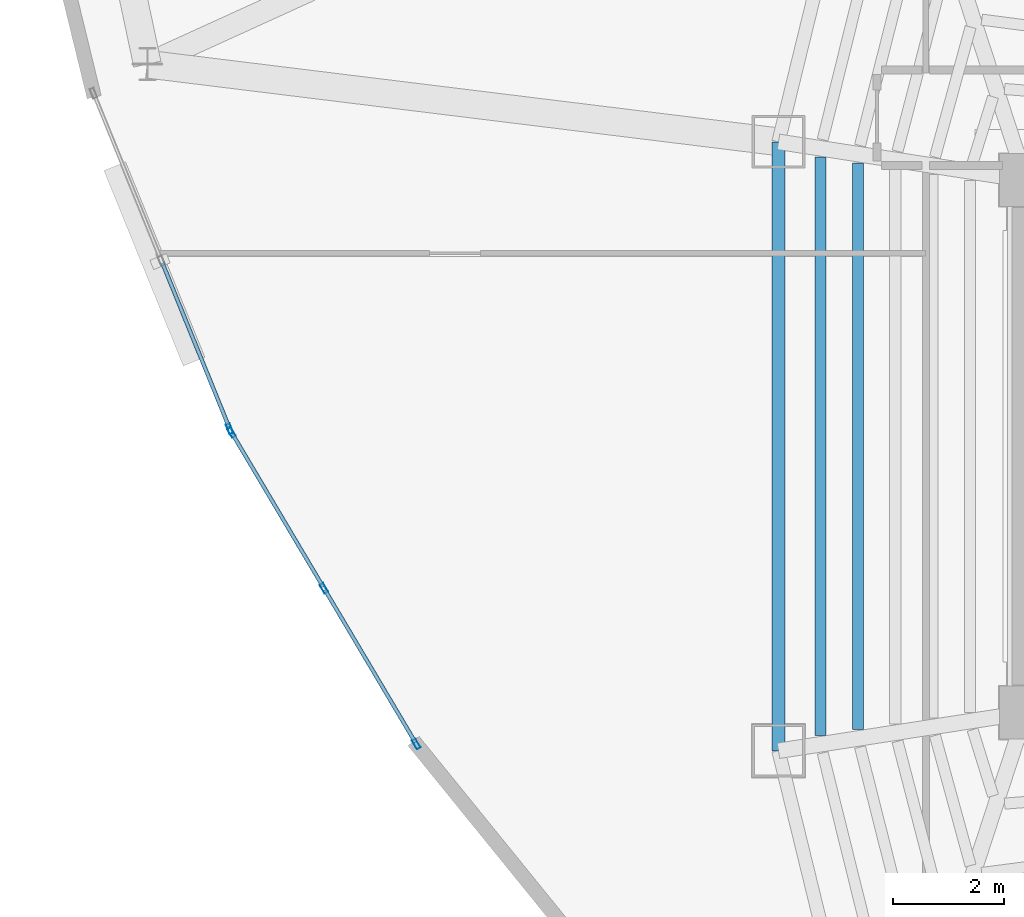
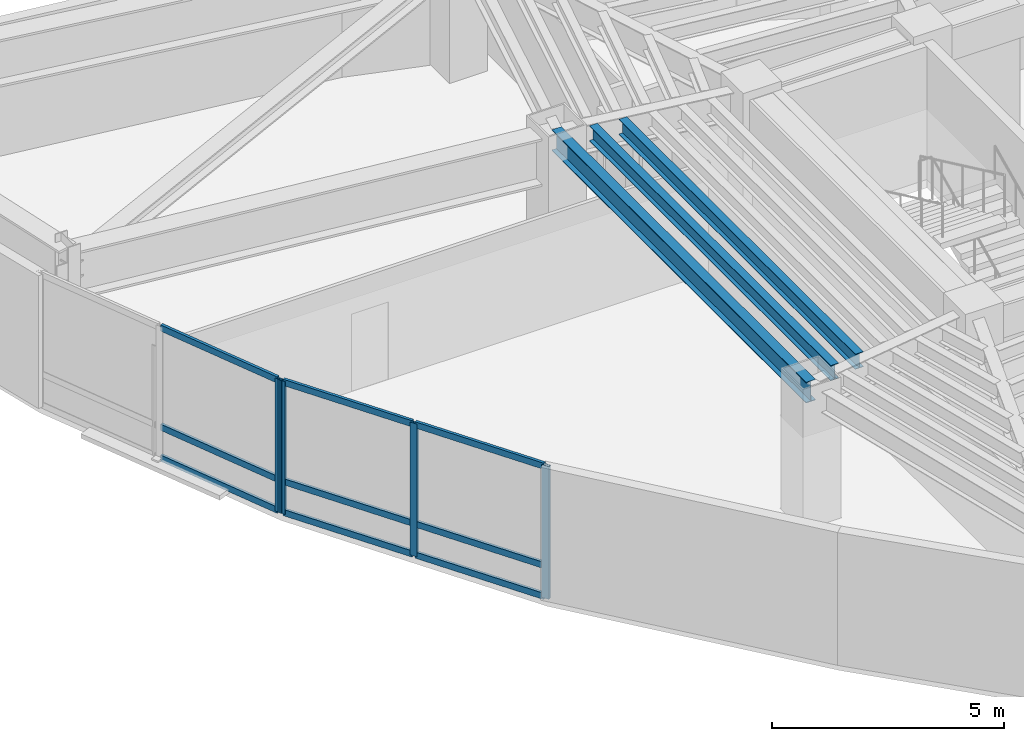
# One storey, part 2 of 16: 13 members, 3 beams, 2 elements without a shape of their own.
"""IFC4 building model written with IfcOpenShell, lengths in metres."""

from ifc_helpers import new_model, si_unit, direction, frame, origin, origin_2d, place, context, subcontext, project, spatial, hollow_rectangle, i_section, extrude, material, layer, layer_set, material_profile, profile_set, type_object, element, aggregate, save


model = new_model("IFC4")

# Units and contexts
model_context = context("Model", 3, precision=1e-05, world=origin(), true_north=direction((0.0, 1.0)))
body_context = subcontext(model_context, "Body", "Model", "MODEL_VIEW")
ifc_project = project(units=[si_unit("LENGTHUNIT", "METRE"), si_unit("AREAUNIT", "SQUARE_METRE"), si_unit("VOLUMEUNIT", "CUBIC_METRE"), si_unit("PLANEANGLEUNIT", "RADIAN"), si_unit("MASSUNIT", "GRAM", prefix="KILO")], contexts=[model_context])

# Site, building, storey
site_placement = place(None, origin())
site = spatial("IfcSite", under=ifc_project, at=site_placement, CompositionType="ELEMENT")
building_placement = place(site_placement, origin())
building = spatial("IfcBuilding", under=site, at=building_placement, Name="Menara Vayukalpa", CompositionType="ELEMENT")
storey_placement = place(building_placement, frame((0.0, 0.0, 198.9599609375)))
storey = spatial("IfcBuildingStorey", under=building, at=storey_placement, Name="L50", CompositionType="ELEMENT", Elevation=198.9599609375)

# Beams
ifc_material_1 = material(Name="Steel S355", Category="steel")
ifc_material_profile_1 = material_profile(ifc_material_1, i_section(OverallWidth=0.199951171875, OverallDepth=0.39990234375, WebThickness=0.008056640625, FlangeThickness=0.012939453125, at=origin_2d()), Name="WF 400x200x8x13")
ifc_profile_set_1 = profile_set([ifc_material_profile_1], Name="Steel S355")
beam_type_1 = type_object("IfcBeamType", Name="BM-SJ2", PredefinedType="JOIST", material=ifc_profile_set_1)
beam_1_placement = place(storey_placement, frame((14.77490234375, 27.10791015625, 3.300048828125), z_axis=(0.0, -1.0, 0.0), x_axis=(1.0, 0.0, 0.0)))
element("IfcBeam", 1, at=beam_1_placement, inside=storey, type_object=beam_type_1, Name="L50 Secondary Floor Joist SJ05-4", PredefinedType="JOIST", context=body_context, shape_type="SweptSolid", body=[
    extrude(i_section(OverallWidth=0.199951171875, OverallDepth=0.39990234375, WebThickness=0.008056640625, FlangeThickness=0.012939453125, at=origin_2d()), origin(), (0.0, 0.0, 1.0), 10.2158203125),
])
beam_2_placement = place(storey_placement, frame((14.1015625, 27.2119140625, 3.300048828125), z_axis=(0.0, -1.0, 0.0), x_axis=(1.0, 0.0, 0.0)))
element("IfcBeam", 2, at=beam_2_placement, inside=storey, type_object=beam_type_1, Name="L50 Secondary Floor Joist SJ05-5", PredefinedType="JOIST", context=body_context, shape_type="SweptSolid", body=[
    extrude(i_section(OverallWidth=0.199951171875, OverallDepth=0.39990234375, WebThickness=0.008056640625, FlangeThickness=0.012939453125, at=origin_2d()), origin(), (0.0, 0.0, 1.0), 10.423828125),
])
ifc_material_2 = material(Name="Steel S355", Category="steel")
ifc_material_profile_2 = material_profile(ifc_material_2, i_section(OverallWidth=0.239990234375, OverallDepth=0.550048828125, WebThickness=0.010986328125, FlangeThickness=0.01904296875, at=origin_2d()), Name="WF 550x240x11x19")
ifc_profile_set_2 = profile_set([ifc_material_profile_2], Name="Steel S355")
beam_type_2 = type_object("IfcBeamType", Name="BM-SP2", PredefinedType="SPANDREL", material=ifc_profile_set_2)
beam_3_placement = place(storey_placement, frame((13.343994140625, 27.4892578125, 3.22509765625), z_axis=(0.0, -1.0, 0.0), x_axis=(1.0, 0.0, 0.0)))
element("IfcBeam", 3, at=beam_3_placement, inside=storey, type_object=beam_type_2, Name="L50 Perimeter Spandrel Beam SP05", PredefinedType="SPANDREL", context=body_context, shape_type="SweptSolid", body=[
    extrude(i_section(OverallWidth=0.239990234375, OverallDepth=0.550048828125, WebThickness=0.010986328125, FlangeThickness=0.01904296875, at=origin_2d()), origin(), (0.0, 0.0, 1.0), 10.978515625),
])

# Curtain wall, member
ifc_material_3 = material(Name="Anodised Terracotta Aluminium Alloy 6063-T6", Category="masonry")
ifc_layer = layer(ifc_material_3, 0.179931640625)
ifc_layer_set = layer_set([ifc_layer], Name="Anodised Terracotta Aluminium Alloy 6063-T6")
curtain_wall_type = type_object("IfcCurtainWallType", Name="CW-CW4", PredefinedType="USERDEFINED", material=ifc_layer_set)
curtain_wall_1_placement = place(storey_placement, origin())
curtain_wall_1 = element("IfcCurtainWall", 4, at=curtain_wall_1_placement, inside=storey, type_object=curtain_wall_type, Name="L50 Sky Bar Cantilever Glazed Curtain Wall CW4 13", ObjectType="UNITISED", PredefinedType="USERDEFINED")
ifc_material_4 = material(Name="Anodised Terracotta Aluminium Alloy 6063-T6", Category="masonry")
ifc_material_profile_3 = material_profile(ifc_material_4, hollow_rectangle(XDim=0.074951171875, YDim=0.179931640625, WallThickness=0.00390625, at=origin_2d()), Name="ALU 75x180x4")
ifc_profile_set_3 = profile_set([ifc_material_profile_3], Name="Anodised Terracotta Aluminium Alloy 6063-T6")
member_type_1 = type_object("IfcMemberType", Name="CWM-CW4", PredefinedType="MULLION", material=ifc_profile_set_3)
member_1_placement = place(storey_placement, frame((3.450927734375, 22.3154296875, 0.0), z_axis=(0.0, 0.0, 1.0), x_axis=(0.926582183577, 0.376092351793, 0.0)))
member_1 = element("IfcMember", 5, at=member_1_placement, type_object=member_type_1, Name="CW4 mullion 3", PredefinedType="MULLION", context=body_context, shape_type="SweptSolid", body=[
    extrude(hollow_rectangle(XDim=0.074951171875, YDim=0.179931640625, WallThickness=0.00390625, at=origin_2d()), origin(), (0.0, 0.0, 1.0), 3.5),
])

# Curtain wall, members
curtain_wall_2_placement = place(storey_placement, origin())
curtain_wall_2 = element("IfcCurtainWall", 6, at=curtain_wall_2_placement, inside=storey, type_object=curtain_wall_type, Name="L50 Sky Bar Cantilever Glazed Curtain Wall CW4 14", ObjectType="UNITISED", PredefinedType="USERDEFINED")
member_2_placement = place(storey_placement, frame((3.484130859375, 22.248291015625, 0.0), z_axis=(0.0, 0.0, 1.0), x_axis=(0.86012006921, 0.510091625634, 0.0)))
member_2 = element("IfcMember", 7, at=member_2_placement, type_object=member_type_1, Name="CW4 mullion 1", PredefinedType="MULLION", context=body_context, shape_type="SweptSolid", body=[
    extrude(hollow_rectangle(XDim=0.074951171875, YDim=0.179931640625, WallThickness=0.00390625, at=origin_2d()), origin(), (0.0, 0.0, 1.0), 3.5),
])
member_3_placement = place(storey_placement, frame((5.149658203125, 19.440185546875, 0.0), z_axis=(0.0, 0.0, 1.0), x_axis=(0.86012006921, 0.510091625634, 0.0)))
member_3 = element("IfcMember", 8, at=member_3_placement, type_object=member_type_1, Name="CW4 mullion 2", PredefinedType="MULLION", context=body_context, shape_type="SweptSolid", body=[
    extrude(hollow_rectangle(XDim=0.074951171875, YDim=0.179931640625, WallThickness=0.00390625, at=origin_2d()), origin(), (0.0, 0.0, 1.0), 3.5),
])
member_4_placement = place(storey_placement, frame((6.81494140625, 16.6318359375, 0.0), z_axis=(0.0, 0.0, 1.0), x_axis=(0.86012006921, 0.510091625634, 0.0)))
member_4 = element("IfcMember", 9, at=member_4_placement, type_object=member_type_1, Name="CW4 mullion 3", PredefinedType="MULLION", context=body_context, shape_type="SweptSolid", body=[
    extrude(hollow_rectangle(XDim=0.074951171875, YDim=0.179931640625, WallThickness=0.00390625, at=origin_2d()), origin(), (0.0, 0.0, 1.0), 3.5),
])

# Member
ifc_material_5 = material(Name="Anodised Terracotta Aluminium Alloy 6063-T6", Category="masonry")
ifc_material_profile_4 = material_profile(ifc_material_5, hollow_rectangle(XDim=0.070068359375, YDim=0.1650390625, WallThickness=0.00390625, at=origin_2d()), Name="ALU 70x165x4")
ifc_profile_set_4 = profile_set([ifc_material_profile_4], Name="Anodised Terracotta Aluminium Alloy 6063-T6")
member_type_2 = type_object("IfcMemberType", Name="CWT-CW4", PredefinedType="USERDEFINED", material=ifc_profile_set_4)
member_5_placement = place(storey_placement, frame((2.237060546875, 25.305908203125, 0.03515625), z_axis=(0.376083469559, -0.926585788756, 0.0), x_axis=(0.926585788756, 0.376083469559, 0.0)))
member_5 = element("IfcMember", 10, at=member_5_placement, type_object=member_type_2, Name="CW4 transom 2.1", ObjectType="TRANSOM", PredefinedType="USERDEFINED", context=body_context, shape_type="SweptSolid", body=[
    extrude(hollow_rectangle(XDim=0.070068359375, YDim=0.1650390625, WallThickness=0.00390625, at=origin_2d()), origin(), (0.0, 0.0, 1.0), 3.18994140625),
])

member_6_placement = place(storey_placement, frame((2.237060546875, 25.305908203125, 0.85009765625), z_axis=(0.376083469559, -0.926585788756, 0.0), x_axis=(0.926585788756, 0.376083469559, 0.0)))
member_6 = element("IfcMember", 11, at=member_6_placement, type_object=member_type_2, Name="CW4 transom 2.2", ObjectType="TRANSOM", PredefinedType="USERDEFINED", context=body_context, shape_type="SweptSolid", body=[
    extrude(hollow_rectangle(XDim=0.070068359375, YDim=0.1650390625, WallThickness=0.00390625, at=origin_2d()), origin(), (0.0, 0.0, 1.0), 3.18994140625),
])

member_7_placement = place(storey_placement, frame((2.237060546875, 25.305908203125, 3.465087890625), z_axis=(0.376083469559, -0.926585788756, 0.0), x_axis=(0.926585788756, 0.376083469559, 0.0)))
member_7 = element("IfcMember", 12, at=member_7_placement, type_object=member_type_2, Name="CW4 transom 2.3", ObjectType="TRANSOM", PredefinedType="USERDEFINED", context=body_context, shape_type="SweptSolid", body=[
    extrude(hollow_rectangle(XDim=0.070068359375, YDim=0.1650390625, WallThickness=0.00390625, at=origin_2d()), origin(), (0.0, 0.0, 1.0), 3.18994140625),
])

aggregate(curtain_wall_1, [member_1, member_5, member_6, member_7])

member_8_placement = place(storey_placement, frame((3.503173828125, 22.216064453125, 0.03515625), z_axis=(0.51011075387, -0.86010872498, 0.0), x_axis=(0.86010872498, 0.51011075387, 0.0)))
member_8 = element("IfcMember", 13, at=member_8_placement, type_object=member_type_2, Name="CW4 transom 1.1", ObjectType="TRANSOM", PredefinedType="USERDEFINED", context=body_context, shape_type="SweptSolid", body=[
    extrude(hollow_rectangle(XDim=0.070068359375, YDim=0.1650390625, WallThickness=0.00390625, at=origin_2d()), origin(), (0.0, 0.0, 1.0), 3.18994140625),
])

member_9_placement = place(storey_placement, frame((3.503173828125, 22.216064453125, 0.85009765625), z_axis=(0.51011075387, -0.86010872498, 0.0), x_axis=(0.86010872498, 0.51011075387, 0.0)))
member_9 = element("IfcMember", 14, at=member_9_placement, type_object=member_type_2, Name="CW4 transom 1.2", ObjectType="TRANSOM", PredefinedType="USERDEFINED", context=body_context, shape_type="SweptSolid", body=[
    extrude(hollow_rectangle(XDim=0.070068359375, YDim=0.1650390625, WallThickness=0.00390625, at=origin_2d()), origin(), (0.0, 0.0, 1.0), 3.18994140625),
])

member_10_placement = place(storey_placement, frame((3.503173828125, 22.216064453125, 3.465087890625), z_axis=(0.51011075387, -0.86010872498, 0.0), x_axis=(0.86010872498, 0.51011075387, 0.0)))
member_10 = element("IfcMember", 15, at=member_10_placement, type_object=member_type_2, Name="CW4 transom 1.3", ObjectType="TRANSOM", PredefinedType="USERDEFINED", context=body_context, shape_type="SweptSolid", body=[
    extrude(hollow_rectangle(XDim=0.070068359375, YDim=0.1650390625, WallThickness=0.00390625, at=origin_2d()), origin(), (0.0, 0.0, 1.0), 3.18994140625),
])

member_11_placement = place(storey_placement, frame((5.168701171875, 19.407958984375, 0.03515625), z_axis=(0.510077175578, -0.860128638608, 0.0), x_axis=(0.860128638608, 0.510077175578, 0.0)))
member_11 = element("IfcMember", 16, at=member_11_placement, type_object=member_type_2, Name="CW4 transom 2.1", ObjectType="TRANSOM", PredefinedType="USERDEFINED", context=body_context, shape_type="SweptSolid", body=[
    extrude(hollow_rectangle(XDim=0.070068359375, YDim=0.1650390625, WallThickness=0.00390625, at=origin_2d()), origin(), (0.0, 0.0, 1.0), 3.190185546875),
])

member_12_placement = place(storey_placement, frame((5.168701171875, 19.407958984375, 0.85009765625), z_axis=(0.510077175578, -0.860128638608, 0.0), x_axis=(0.860128638608, 0.510077175578, 0.0)))
member_12 = element("IfcMember", 17, at=member_12_placement, type_object=member_type_2, Name="CW4 transom 2.2", ObjectType="TRANSOM", PredefinedType="USERDEFINED", context=body_context, shape_type="SweptSolid", body=[
    extrude(hollow_rectangle(XDim=0.070068359375, YDim=0.1650390625, WallThickness=0.00390625, at=origin_2d()), origin(), (0.0, 0.0, 1.0), 3.190185546875),
])

member_13_placement = place(storey_placement, frame((5.168701171875, 19.407958984375, 3.465087890625), z_axis=(0.510077175578, -0.860128638608, 0.0), x_axis=(0.860128638608, 0.510077175578, 0.0)))
member_13 = element("IfcMember", 18, at=member_13_placement, type_object=member_type_2, Name="CW4 transom 2.3", ObjectType="TRANSOM", PredefinedType="USERDEFINED", context=body_context, shape_type="SweptSolid", body=[
    extrude(hollow_rectangle(XDim=0.070068359375, YDim=0.1650390625, WallThickness=0.00390625, at=origin_2d()), origin(), (0.0, 0.0, 1.0), 3.190185546875),
])

aggregate(curtain_wall_2, [member_2, member_3, member_4, member_8, member_9, member_10, member_11, member_12, member_13])

save(model, "model.ifc")
